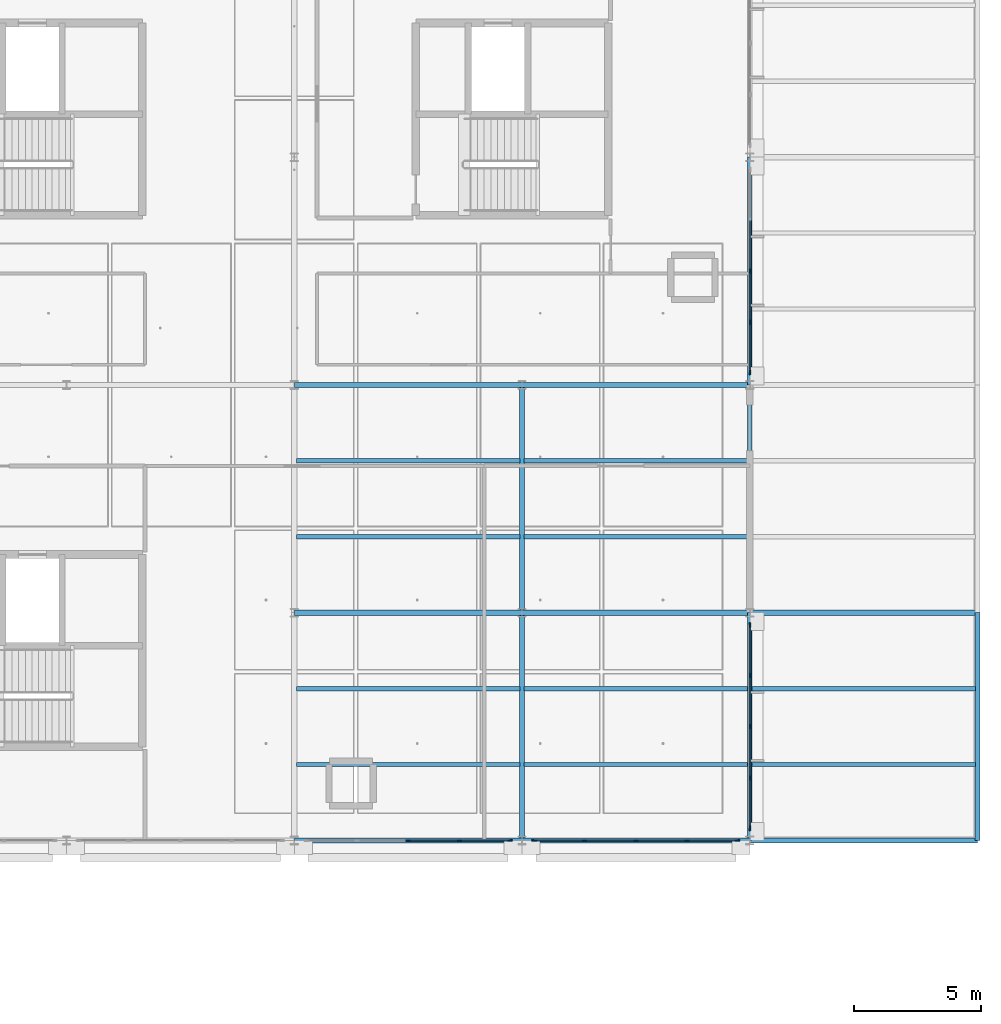
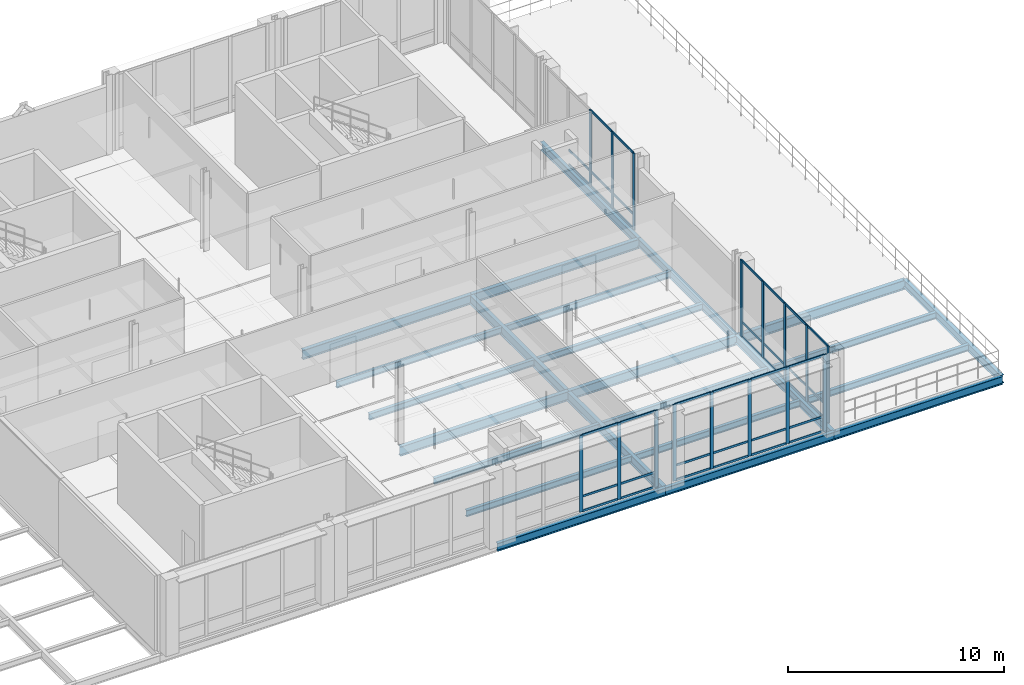
# One storey, part 31 of 66: 54 members, 24 beams, 4 elements without a shape of their own.
"""IFC4 building model written with IfcOpenShell, lengths in metres."""

import ifcopenshell
import ifcopenshell.guid

model = None  # the IFC model being written
_history = None  # IfcOwnerHistory: only IFC2X3 demands one
_inside = {}  # id of a spatial element -> (the spatial element, [elements in it])
_under = {}  # id of a project, library or spatial element -> (it, [spatial elements below it])
_declared = {}  # id of a project -> (the project, [libraries it declares])
_typed = {}  # id of a type object -> (the type object, [elements of that type])
_made_of = {}  # id of a material, layer set ... -> (it, [elements and type objects made of it])


def new_model(schema):
    """Start an empty IFC model of exactly this schema.

    Asked for "IFC4X3", IfcOpenShell would pick the latest addendum, in which some entities
    have other attributes; the version numbers below select the first issue.
    IFC2X3 requires an IfcOwnerHistory on every rooted entity: one is made here for all.
    """
    global model, _history
    if schema == "IFC4X3":
        model = ifcopenshell.file(schema_version=(4, 3, 0, 0))
    else:
        model = ifcopenshell.file(schema=schema)
    _inside.clear()
    _under.clear()
    _declared.clear()
    _typed.clear()
    _made_of.clear()
    _history = None
    if model.schema == "IFC2X3":
        org = make("IfcOrganization", Name="unknown")
        user = make(
            "IfcPersonAndOrganization",
            ThePerson=make("IfcPerson", FamilyName="unknown"),
            TheOrganization=org,
        )
        app = make(
            "IfcApplication",
            ApplicationDeveloper=org,
            Version="unknown",
            ApplicationFullName="unknown",
            ApplicationIdentifier="unknown",
        )
        _history = make(
            "IfcOwnerHistory",
            OwningUser=user,
            OwningApplication=app,
            ChangeAction="ADDED",
            CreationDate=0,
        )
    return model


def make(cls, **values):
    """One entity of the class cls with the attributes given. An attribute that is None is left unset."""
    return model.create_entity(
        cls, **{name: value for name, value in values.items() if value is not None}
    )


def rooted(cls, **values):
    """An entity with a GlobalId (a new one), such as an element, a storey or a relation."""
    return make(cls, GlobalId=ifcopenshell.guid.new(), OwnerHistory=_history, **values)


def si_unit(unit_type, name, prefix=None):
    """IfcSIUnit, for example si_unit("LENGTHUNIT", "METRE", prefix="MILLI")."""
    return make("IfcSIUnit", UnitType=unit_type, Prefix=prefix, Name=name)


def assignment(units):
    """IfcUnitAssignment: the units of a project."""
    return None if units is None else make("IfcUnitAssignment", Units=units)


def point(xyz):
    """IfcCartesianPoint."""
    return None if xyz is None else make("IfcCartesianPoint", Coordinates=xyz)


def direction(xyz):
    """IfcDirection."""
    return None if xyz is None else make("IfcDirection", DirectionRatios=xyz)


def frame(location, z_axis=None, x_axis=None):
    """IfcAxis2Placement3D, a coordinate frame: its origin and axes. An axis left out is left unset."""
    return make(
        "IfcAxis2Placement3D",
        Location=point(location),
        Axis=direction(z_axis),
        RefDirection=direction(x_axis),
    )


def frame_2d(location, x_axis=None):
    """IfcAxis2Placement2D, a coordinate frame in the plane: its origin and x axis."""
    return make(
        "IfcAxis2Placement2D", Location=point(location), RefDirection=direction(x_axis)
    )


def origin():
    """The frame at (0, 0, 0) with its axes left unset."""
    return frame((0.0, 0.0, 0.0))


def origin_2d():
    """The frame at (0, 0) in the plane with its x axis left unset."""
    return frame_2d((0.0, 0.0))


def place(relative_to, where):
    """IfcLocalPlacement: puts the frame where relative to a parent placement (None: the world)."""
    return make(
        "IfcLocalPlacement", PlacementRelTo=relative_to, RelativePlacement=where
    )


def context(
    kind, dimensions, precision=None, world=None, true_north=None, identifier=None
):
    """IfcGeometricRepresentationContext, for example the 3D "Model" context."""
    return make(
        "IfcGeometricRepresentationContext",
        ContextIdentifier=identifier,
        ContextType=kind,
        CoordinateSpaceDimension=dimensions,
        Precision=precision,
        WorldCoordinateSystem=world,
        TrueNorth=true_north,
    )


def subcontext(parent, identifier, kind, view, scale=None):
    """IfcGeometricRepresentationSubContext, for example "Body" below "Model"."""
    return make(
        "IfcGeometricRepresentationSubContext",
        ContextIdentifier=identifier,
        ContextType=kind,
        ParentContext=parent,
        TargetScale=scale,
        TargetView=view,
    )


def project(units=None, contexts=None):
    """IfcProject with its units and contexts."""
    return rooted(
        "IfcProject",
        Name="project",
        RepresentationContexts=contexts,
        UnitsInContext=assignment(units),
    )


def spatial(cls, under=None, at=None, **own):
    """A site, building, storey or space (cls), placed at a placement, below another one or the project."""
    s = rooted(cls, ObjectPlacement=at, **own)
    if under is not None:
        _under.setdefault(under.id(), (under, []))[1].append(s)
    return s


def profile(cls, at=None, kind="AREA", **sizes):
    """A parametric profile (cls). Its sizes go by their IFC names, for example OverallWidth=200.0."""
    return make(cls, ProfileType=kind, Position=at, **sizes)


def rectangle(**sizes):
    """IfcRectangleProfileDef."""
    return profile("IfcRectangleProfileDef", **sizes)


def i_section(**sizes):
    """IfcIShapeProfileDef."""
    return profile("IfcIShapeProfileDef", **sizes)


def extrude(swept, where, along, depth):
    """IfcExtrudedAreaSolid: the profile swept, set in the frame where, extruded along a direction by depth."""
    return make(
        "IfcExtrudedAreaSolid",
        SweptArea=swept,
        Position=where,
        ExtrudedDirection=direction(along),
        Depth=depth,
    )


def shape(context_of_items, identifier, shape_type, items):
    """IfcShapeRepresentation: the items that make up one representation, for example the "Body"."""
    return make(
        "IfcShapeRepresentation",
        ContextOfItems=context_of_items,
        RepresentationIdentifier=identifier,
        RepresentationType=shape_type,
        Items=items,
    )


def material(Name=None, Category=None):
    """IfcMaterial."""
    return make("IfcMaterial", Name=Name, Category=Category)


def material_profile(
    of_material, cross_section, Name=None, Category=None, Priority=None
):
    """IfcMaterialProfile: a cross section and its material."""
    return make(
        "IfcMaterialProfile",
        Name=Name,
        Material=of_material,
        Profile=cross_section,
        Priority=Priority,
        Category=Category,
    )


def profile_set(profiles, Name=None, composite=None):
    """IfcMaterialProfileSet."""
    return make(
        "IfcMaterialProfileSet",
        Name=Name,
        MaterialProfiles=profiles,
        CompositeProfile=composite,
    )


def made_of(thing, what):
    """Note that an element or type object is made of a material, layer set ...; save() writes the relation."""
    if what is not None:
        _made_of.setdefault(what.id(), (what, []))[1].append(thing)
    return thing


def type_object(cls, material=None, **own):
    """A type object (cls), such as IfcWallType, which elements share."""
    return made_of(rooted(cls, **own), material)


def element(
    cls,
    number,
    at=None,
    inside=None,
    cuts=None,
    type_object=None,
    material=None,
    context=None,
    identifier="Body",
    shape_type=None,
    held_by="IfcProductDefinitionShape",
    body=None,
    shapes=None,
    **own,
):
    """One element of the class cls, such as IfcWall. Its Tag is "e" and its number.

    at: its placement. inside: the storey or other place that contains it. cuts: it is an
    opening in that element (IfcRelVoidsElement). A single representation is given by context,
    identifier, shape_type and body (its items); several are given by shapes. held_by: the class
    of the entity that holds the representations. save() writes the other relations.
    """
    e = rooted(cls, Tag="e%d" % number, ObjectPlacement=at, **own)
    if body is not None:
        shapes = [shape(context, identifier, shape_type, body)]
    if shapes is not None:
        e.Representation = make(held_by, Representations=shapes)
    if inside is not None:
        _inside.setdefault(inside.id(), (inside, []))[1].append(e)
    if cuts is not None:
        rooted(
            "IfcRelVoidsElement", RelatingBuildingElement=cuts, RelatedOpeningElement=e
        )
    if type_object is not None:
        _typed.setdefault(type_object.id(), (type_object, []))[1].append(e)
    return made_of(e, material)


def aggregate(whole, parts):
    """IfcRelAggregates: a whole, such as a stair, and the parts it consists of."""
    return rooted("IfcRelAggregates", RelatingObject=whole, RelatedObjects=parts)


def save(model, path):
    """Write the relations noted so far, then the file.

    IfcRelAggregates (storeys below a building ...), IfcRelContainedInSpatialStructure (elements
    in a storey), IfcRelDefinesByType, IfcRelAssociatesMaterial and IfcRelDeclares: one each for
    every whole, place, type object, material and project.
    """
    for whole, parts in _under.values():
        aggregate(whole, parts)
    for where, things in _inside.values():
        rooted(
            "IfcRelContainedInSpatialStructure",
            RelatedElements=things,
            RelatingStructure=where,
        )
    for kind, things in _typed.values():
        rooted("IfcRelDefinesByType", RelatedObjects=things, RelatingType=kind)
    for what, things in _made_of.values():
        rooted("IfcRelAssociatesMaterial", RelatedObjects=things, RelatingMaterial=what)
    for by, libraries in _declared.values():
        rooted("IfcRelDeclares", RelatingContext=by, RelatedDefinitions=libraries)
    model.write(path)


model = new_model("IFC4")

# Units and contexts
model_context = context("Model", 3, precision=1e-05, world=origin(), true_north=direction((0.0, 1.0)))
body_context = subcontext(model_context, "Body", "Model", "MODEL_VIEW")
ifc_project = project(units=[si_unit("LENGTHUNIT", "METRE"), si_unit("AREAUNIT", "SQUARE_METRE"), si_unit("VOLUMEUNIT", "CUBIC_METRE"), si_unit("PLANEANGLEUNIT", "RADIAN"), si_unit("MASSUNIT", "GRAM", prefix="KILO"), si_unit("THERMODYNAMICTEMPERATUREUNIT", "KELVIN"), si_unit("POWERUNIT", "WATT")], contexts=[model_context])

# Site, building, storey
site_placement = place(None, origin())
site = spatial("IfcSite", under=ifc_project, at=site_placement, CompositionType="ELEMENT")
building_placement = place(site_placement, origin())
building = spatial("IfcBuilding", under=site, at=building_placement, Name="Tallowbark Science Centre", CompositionType="ELEMENT")
storey_placement = place(building_placement, frame((0.0, 0.0, 18.89990234375)))
storey = spatial("IfcBuildingStorey", under=building, at=storey_placement, Name="L04", CompositionType="ELEMENT", Elevation=18.89990234375)

# Beams
ifc_material_1 = material(Name="Structural Steel Grade 300PLUS (300 MPa)", Category="steel")
ifc_material_profile_1 = material_profile(ifc_material_1, i_section(OverallWidth=0.208984375, OverallDepth=0.532958984375, WebThickness=0.01025390625, FlangeThickness=0.015625, FilletRadius=0.013916015625, at=origin_2d()), Name="530UB92.4")
ifc_profile_set_1 = profile_set([ifc_material_profile_1], Name="Structural Steel Grade 300PLUS (300 MPa)")
beam_type_1 = type_object("IfcBeamType", Name="BM-UB530A", PredefinedType="BEAM", material=ifc_profile_set_1)
for number, where, z_axis, x_axis, name in (
    (1, (130.5, 81.0, -0.4462890625), (1.0, 0.0, 0.0), (0.0, 1.0, 0.0), "Primary Girder GRDX-L04-1305-1395-810"),
    (2, (139.5, 81.0, -0.4462890625), (1.0, 0.0, 0.0), (0.0, 1.0, 0.0), "Primary Girder GRDX-L04-1395-1485-810"),
    (3, (148.5, 81.0, -0.4462890625), (1.0, 0.0, 0.0), (0.0, 1.0, 0.0), "Primary Girder GRDX-L04-1485-1575-810"),
    (4, (130.5, 90.0, -0.4462890625), (1.0, 0.0, 0.0), (0.0, 1.0, 0.0), "Primary Girder GRDX-L04-1305-1395-900"),
    (5, (139.5, 90.0, -0.4462890625), (1.0, 0.0, 0.0), (0.0, 1.0, 0.0), "Primary Girder GRDX-L04-1395-1485-900"),
):
    element("IfcBeam", number, at=place(storey_placement, frame(where, z_axis=z_axis, x_axis=x_axis)), inside=storey, type_object=beam_type_1, Name=name, PredefinedType="BEAM", context=body_context, shape_type="SweptSolid", body=[
        extrude(i_section(OverallWidth=0.208984375, OverallDepth=0.532958984375, WebThickness=0.01025390625, FlangeThickness=0.015625, FilletRadius=0.013916015625, at=origin_2d()), origin(), (0.0, 0.0, 1.0), 9.0),
    ])
ifc_material_profile_2 = material_profile(ifc_material_1, i_section(OverallWidth=0.208740234375, OverallDepth=0.5283203125, WebThickness=0.009521484375, FlangeThickness=0.01318359375, FilletRadius=0.013916015625, at=origin_2d()), Name="530UB82.0")
ifc_profile_set_2 = profile_set([ifc_material_profile_2], Name="Structural Steel Grade 300PLUS (300 MPa)")
beam_type_2 = type_object("IfcBeamType", Name="BM-UB530B", PredefinedType="BEAM", material=ifc_profile_set_2)
for number, where, z_axis, x_axis, name in (
    (6, (139.5, 72.0, -0.444091796875), (0.0, 1.0, 0.0), (-1.0, 0.0, 0.0), "Primary Girder GRDY-L04-1395-720-810"),
    (7, (139.5, 81.0, -0.444091796875), (0.0, 1.0, 0.0), (-1.0, 0.0, 0.0), "Primary Girder GRDY-L04-1395-810-900"),
):
    element("IfcBeam", number, at=place(storey_placement, frame(where, z_axis=z_axis, x_axis=x_axis)), inside=storey, type_object=beam_type_2, Name=name, PredefinedType="BEAM", context=body_context, shape_type="SweptSolid", body=[
        extrude(i_section(OverallWidth=0.208740234375, OverallDepth=0.5283203125, WebThickness=0.009521484375, FlangeThickness=0.01318359375, FilletRadius=0.013916015625, at=origin_2d()), origin(), (0.0, 0.0, 1.0), 9.0),
    ])

# Curtain wall, members
ifc_material_2 = material(Name="Unitised Thermally Broken Aluminium and Low-E Double Glazing", Category="aluminium")
curtain_wall_type = type_object("IfcCurtainWallType", Name="CW-SYS-FACADE", PredefinedType="NOTDEFINED", material=ifc_material_2)
curtain_wall_1_placement = place(storey_placement, origin())
curtain_wall_1 = element("IfcCurtainWall", 8, at=curtain_wall_1_placement, inside=storey, type_object=curtain_wall_type, Name="Unitised Curtain Wall OBS4-S-130 CW-L04-193", PredefinedType="NOTDEFINED")
ifc_material_3 = material(Name="Anodised Architectural Aluminium Alloy 6063-T6", Category="aluminium")
ifc_material_profile_3 = material_profile(ifc_material_3, rectangle(XDim=0.06494140625, YDim=0.179931640625, at=origin_2d()), Name="ALU65x180")
ifc_profile_set_3 = profile_set([ifc_material_profile_3], Name="Anodised Architectural Aluminium Alloy 6063-T6")
member_type_1 = type_object("IfcMemberType", Name="CWM-MUL-220", PredefinedType="MULLION", material=ifc_profile_set_3)
member_1_placement = place(storey_placement, frame((135.0, 72.0, 0.0), z_axis=(0.0, 0.0, 1.0), x_axis=(0.0, 1.0, 0.0)))
member_1 = element("IfcMember", 9, at=member_1_placement, type_object=member_type_1, Name="CW-01 mullion 3", PredefinedType="MULLION", context=body_context, shape_type="SweptSolid", body=[
    extrude(rectangle(XDim=0.06494140625, YDim=0.179931640625, at=origin_2d()), origin(), (0.0, 0.0, 1.0), 4.320068359375),
])
member_2_placement = place(storey_placement, frame((137.02490234375, 72.0, 0.0), z_axis=(0.0, 0.0, 1.0), x_axis=(0.0, 1.0, 0.0)))
member_2 = element("IfcMember", 10, at=member_2_placement, type_object=member_type_1, Name="CW-01 mullion 4", PredefinedType="MULLION", context=body_context, shape_type="SweptSolid", body=[
    extrude(rectangle(XDim=0.06494140625, YDim=0.179931640625, at=origin_2d()), origin(), (0.0, 0.0, 1.0), 4.320068359375),
])
member_3_placement = place(storey_placement, frame((139.017578125, 72.0, 0.0), z_axis=(0.0, 0.0, 1.0), x_axis=(0.0, 1.0, 0.0)))
member_3 = element("IfcMember", 11, at=member_3_placement, type_object=member_type_1, Name="CW-01 mullion 5", PredefinedType="MULLION", context=body_context, shape_type="SweptSolid", body=[
    extrude(rectangle(XDim=0.06494140625, YDim=0.179931640625, at=origin_2d()), origin(), (0.0, 0.0, 1.0), 4.320068359375),
])

curtain_wall_2_placement = place(storey_placement, origin())
curtain_wall_2 = element("IfcCurtainWall", 12, at=curtain_wall_2_placement, inside=storey, type_object=curtain_wall_type, Name="Unitised Curtain Wall OBS4-S-139 CW-L04-195", PredefinedType="NOTDEFINED")
member_4_placement = place(storey_placement, frame((139.982421875, 72.0, 0.0), z_axis=(0.0, 0.0, 1.0), x_axis=(0.0, 1.0, 0.0)))
member_4 = element("IfcMember", 13, at=member_4_placement, type_object=member_type_1, Name="CW-01 mullion 1", PredefinedType="MULLION", context=body_context, shape_type="SweptSolid", body=[
    extrude(rectangle(XDim=0.06494140625, YDim=0.179931640625, at=origin_2d()), origin(), (0.0, 0.0, 1.0), 4.320068359375),
])
member_5_placement = place(storey_placement, frame((141.97509765625, 72.0, 0.0), z_axis=(0.0, 0.0, 1.0), x_axis=(0.0, 1.0, 0.0)))
member_5 = element("IfcMember", 14, at=member_5_placement, type_object=member_type_1, Name="CW-01 mullion 2", PredefinedType="MULLION", context=body_context, shape_type="SweptSolid", body=[
    extrude(rectangle(XDim=0.06494140625, YDim=0.179931640625, at=origin_2d()), origin(), (0.0, 0.0, 1.0), 4.320068359375),
])
member_6_placement = place(storey_placement, frame((144.0, 72.0, 0.0), z_axis=(0.0, 0.0, 1.0), x_axis=(0.0, 1.0, 0.0)))
member_6 = element("IfcMember", 15, at=member_6_placement, type_object=member_type_1, Name="CW-01 mullion 3", PredefinedType="MULLION", context=body_context, shape_type="SweptSolid", body=[
    extrude(rectangle(XDim=0.06494140625, YDim=0.179931640625, at=origin_2d()), origin(), (0.0, 0.0, 1.0), 4.320068359375),
])
member_7_placement = place(storey_placement, frame((146.02490234375, 72.0, 0.0), z_axis=(0.0, 0.0, 1.0), x_axis=(0.0, 1.0, 0.0)))
member_7 = element("IfcMember", 16, at=member_7_placement, type_object=member_type_1, Name="CW-01 mullion 4", PredefinedType="MULLION", context=body_context, shape_type="SweptSolid", body=[
    extrude(rectangle(XDim=0.06494140625, YDim=0.179931640625, at=origin_2d()), origin(), (0.0, 0.0, 1.0), 4.320068359375),
])
member_8_placement = place(storey_placement, frame((148.017578125, 72.0, 0.0), z_axis=(0.0, 0.0, 1.0), x_axis=(0.0, 1.0, 0.0)))
member_8 = element("IfcMember", 17, at=member_8_placement, type_object=member_type_1, Name="CW-01 mullion 5", PredefinedType="MULLION", context=body_context, shape_type="SweptSolid", body=[
    extrude(rectangle(XDim=0.06494140625, YDim=0.179931640625, at=origin_2d()), origin(), (0.0, 0.0, 1.0), 4.320068359375),
])

curtain_wall_3_placement = place(storey_placement, origin())
curtain_wall_3 = element("IfcCurtainWall", 18, at=curtain_wall_3_placement, inside=storey, type_object=curtain_wall_type, Name="Unitised Curtain Wall OBS4-E-72 CW-L04-197", PredefinedType="NOTDEFINED")
member_9_placement = place(storey_placement, frame((148.5, 72.482421875, 0.0), z_axis=(0.0, 0.0, 1.0), x_axis=(-1.0, 0.0, 0.0)))
member_9 = element("IfcMember", 19, at=member_9_placement, type_object=member_type_1, Name="CW-01 mullion 1", PredefinedType="MULLION", context=body_context, shape_type="SweptSolid", body=[
    extrude(rectangle(XDim=0.06494140625, YDim=0.179931640625, at=origin_2d()), origin(), (0.0, 0.0, 1.0), 4.320068359375),
])
member_10_placement = place(storey_placement, frame((148.5, 74.47509765625, 0.0), z_axis=(0.0, 0.0, 1.0), x_axis=(-1.0, 0.0, 0.0)))
member_10 = element("IfcMember", 20, at=member_10_placement, type_object=member_type_1, Name="CW-01 mullion 2", PredefinedType="MULLION", context=body_context, shape_type="SweptSolid", body=[
    extrude(rectangle(XDim=0.06494140625, YDim=0.179931640625, at=origin_2d()), origin(), (0.0, 0.0, 1.0), 4.320068359375),
])
member_11_placement = place(storey_placement, frame((148.5, 76.5, 0.0), z_axis=(0.0, 0.0, 1.0), x_axis=(-1.0, 0.0, 0.0)))
member_11 = element("IfcMember", 21, at=member_11_placement, type_object=member_type_1, Name="CW-01 mullion 3", PredefinedType="MULLION", context=body_context, shape_type="SweptSolid", body=[
    extrude(rectangle(XDim=0.06494140625, YDim=0.179931640625, at=origin_2d()), origin(), (0.0, 0.0, 1.0), 4.320068359375),
])
member_12_placement = place(storey_placement, frame((148.5, 78.52490234375, 0.0), z_axis=(0.0, 0.0, 1.0), x_axis=(-1.0, 0.0, 0.0)))
member_12 = element("IfcMember", 22, at=member_12_placement, type_object=member_type_1, Name="CW-01 mullion 4", PredefinedType="MULLION", context=body_context, shape_type="SweptSolid", body=[
    extrude(rectangle(XDim=0.06494140625, YDim=0.179931640625, at=origin_2d()), origin(), (0.0, 0.0, 1.0), 4.320068359375),
])
member_13_placement = place(storey_placement, frame((148.5, 80.517578125, 0.0), z_axis=(0.0, 0.0, 1.0), x_axis=(-1.0, 0.0, 0.0)))
member_13 = element("IfcMember", 23, at=member_13_placement, type_object=member_type_1, Name="CW-01 mullion 5", PredefinedType="MULLION", context=body_context, shape_type="SweptSolid", body=[
    extrude(rectangle(XDim=0.06494140625, YDim=0.179931640625, at=origin_2d()), origin(), (0.0, 0.0, 1.0), 4.320068359375),
])

curtain_wall_4_placement = place(storey_placement, origin())
curtain_wall_4 = element("IfcCurtainWall", 24, at=curtain_wall_4_placement, inside=storey, type_object=curtain_wall_type, Name="Unitised Curtain Wall OBS4-E-90 CW-L04-198", PredefinedType="NOTDEFINED")
member_14_placement = place(storey_placement, frame((148.5, 90.482421875, 0.0), z_axis=(0.0, 0.0, 1.0), x_axis=(-1.0, 0.0, 0.0)))
member_14 = element("IfcMember", 25, at=member_14_placement, type_object=member_type_1, Name="CW-01 mullion 1", PredefinedType="MULLION", context=body_context, shape_type="SweptSolid", body=[
    extrude(rectangle(XDim=0.06494140625, YDim=0.179931640625, at=origin_2d()), origin(), (0.0, 0.0, 1.0), 4.320068359375),
])
member_15_placement = place(storey_placement, frame((148.5, 92.47509765625, 0.0), z_axis=(0.0, 0.0, 1.0), x_axis=(-1.0, 0.0, 0.0)))
member_15 = element("IfcMember", 26, at=member_15_placement, type_object=member_type_1, Name="CW-01 mullion 2", PredefinedType="MULLION", context=body_context, shape_type="SweptSolid", body=[
    extrude(rectangle(XDim=0.06494140625, YDim=0.179931640625, at=origin_2d()), origin(), (0.0, 0.0, 1.0), 4.320068359375),
])
member_16_placement = place(storey_placement, frame((148.5, 94.5, 0.0), z_axis=(0.0, 0.0, 1.0), x_axis=(-1.0, 0.0, 0.0)))
member_16 = element("IfcMember", 27, at=member_16_placement, type_object=member_type_1, Name="CW-01 mullion 3", PredefinedType="MULLION", context=body_context, shape_type="SweptSolid", body=[
    extrude(rectangle(XDim=0.06494140625, YDim=0.179931640625, at=origin_2d()), origin(), (0.0, 0.0, 1.0), 4.320068359375),
])

# Member
ifc_material_profile_4 = material_profile(ifc_material_3, rectangle(XDim=0.054931640625, YDim=0.1201171875, at=origin_2d()), Name="ALU55x120")
ifc_profile_set_4 = profile_set([ifc_material_profile_4], Name="Anodised Architectural Aluminium Alloy 6063-T6")
member_type_2 = type_object("IfcMemberType", Name="CWM-TRN-150", PredefinedType="USERDEFINED", material=ifc_profile_set_4)
member_17_placement = place(storey_placement, frame((135.032470703125, 72.0, 0.027587890625), z_axis=(1.0, 0.0, 0.0), x_axis=(0.0, 1.0, 0.0)))
member_17 = element("IfcMember", 28, at=member_17_placement, type_object=member_type_2, Name="CW-01 transom 3.1", ObjectType="TRANSOM", PredefinedType="USERDEFINED", context=body_context, shape_type="SweptSolid", body=[
    extrude(rectangle(XDim=0.054931640625, YDim=0.1201171875, at=origin_2d()), origin(), (0.0, 0.0, 1.0), 1.9599609375),
])

member_18_placement = place(storey_placement, frame((135.032470703125, 72.0, 0.85009765625), z_axis=(1.0, 0.0, 0.0), x_axis=(0.0, 1.0, 0.0)))
member_18 = element("IfcMember", 29, at=member_18_placement, type_object=member_type_2, Name="CW-01 transom 3.2", ObjectType="TRANSOM", PredefinedType="USERDEFINED", context=body_context, shape_type="SweptSolid", body=[
    extrude(rectangle(XDim=0.054931640625, YDim=0.1201171875, at=origin_2d()), origin(), (0.0, 0.0, 1.0), 1.9599609375),
])

member_19_placement = place(storey_placement, frame((135.032470703125, 72.0, 4.29248046875), z_axis=(1.0, 0.0, 0.0), x_axis=(0.0, 1.0, 0.0)))
member_19 = element("IfcMember", 30, at=member_19_placement, type_object=member_type_2, Name="CW-01 transom 3.3", ObjectType="TRANSOM", PredefinedType="USERDEFINED", context=body_context, shape_type="SweptSolid", body=[
    extrude(rectangle(XDim=0.054931640625, YDim=0.1201171875, at=origin_2d()), origin(), (0.0, 0.0, 1.0), 1.9599609375),
])

member_20_placement = place(storey_placement, frame((137.0576171875, 72.0, 0.027587890625), z_axis=(1.0, 0.0, 0.0), x_axis=(0.0, 1.0, 0.0)))
member_20 = element("IfcMember", 31, at=member_20_placement, type_object=member_type_2, Name="CW-01 transom 4.1", ObjectType="TRANSOM", PredefinedType="USERDEFINED", context=body_context, shape_type="SweptSolid", body=[
    extrude(rectangle(XDim=0.054931640625, YDim=0.1201171875, at=origin_2d()), origin(), (0.0, 0.0, 1.0), 1.927490234375),
])

member_21_placement = place(storey_placement, frame((137.0576171875, 72.0, 0.85009765625), z_axis=(1.0, 0.0, 0.0), x_axis=(0.0, 1.0, 0.0)))
member_21 = element("IfcMember", 32, at=member_21_placement, type_object=member_type_2, Name="CW-01 transom 4.2", ObjectType="TRANSOM", PredefinedType="USERDEFINED", context=body_context, shape_type="SweptSolid", body=[
    extrude(rectangle(XDim=0.054931640625, YDim=0.1201171875, at=origin_2d()), origin(), (0.0, 0.0, 1.0), 1.927490234375),
])

member_22_placement = place(storey_placement, frame((137.0576171875, 72.0, 4.29248046875), z_axis=(1.0, 0.0, 0.0), x_axis=(0.0, 1.0, 0.0)))
member_22 = element("IfcMember", 33, at=member_22_placement, type_object=member_type_2, Name="CW-01 transom 4.3", ObjectType="TRANSOM", PredefinedType="USERDEFINED", context=body_context, shape_type="SweptSolid", body=[
    extrude(rectangle(XDim=0.054931640625, YDim=0.1201171875, at=origin_2d()), origin(), (0.0, 0.0, 1.0), 1.927490234375),
])

aggregate(curtain_wall_1, [member_1, member_2, member_3, member_17, member_18, member_19, member_20, member_21, member_22])

member_23_placement = place(storey_placement, frame((140.014892578125, 72.0, 0.027587890625), z_axis=(1.0, 0.0, 0.0), x_axis=(0.0, 1.0, 0.0)))
member_23 = element("IfcMember", 34, at=member_23_placement, type_object=member_type_2, Name="CW-01 transom 1.1", ObjectType="TRANSOM", PredefinedType="USERDEFINED", context=body_context, shape_type="SweptSolid", body=[
    extrude(rectangle(XDim=0.054931640625, YDim=0.1201171875, at=origin_2d()), origin(), (0.0, 0.0, 1.0), 1.927490234375),
])

member_24_placement = place(storey_placement, frame((140.014892578125, 72.0, 0.85009765625), z_axis=(1.0, 0.0, 0.0), x_axis=(0.0, 1.0, 0.0)))
member_24 = element("IfcMember", 35, at=member_24_placement, type_object=member_type_2, Name="CW-01 transom 1.2", ObjectType="TRANSOM", PredefinedType="USERDEFINED", context=body_context, shape_type="SweptSolid", body=[
    extrude(rectangle(XDim=0.054931640625, YDim=0.1201171875, at=origin_2d()), origin(), (0.0, 0.0, 1.0), 1.927490234375),
])

member_25_placement = place(storey_placement, frame((140.014892578125, 72.0, 4.29248046875), z_axis=(1.0, 0.0, 0.0), x_axis=(0.0, 1.0, 0.0)))
member_25 = element("IfcMember", 36, at=member_25_placement, type_object=member_type_2, Name="CW-01 transom 1.3", ObjectType="TRANSOM", PredefinedType="USERDEFINED", context=body_context, shape_type="SweptSolid", body=[
    extrude(rectangle(XDim=0.054931640625, YDim=0.1201171875, at=origin_2d()), origin(), (0.0, 0.0, 1.0), 1.927490234375),
])

member_26_placement = place(storey_placement, frame((142.007568359375, 72.0, 0.027587890625), z_axis=(1.0, 0.0, 0.0), x_axis=(0.0, 1.0, 0.0)))
member_26 = element("IfcMember", 37, at=member_26_placement, type_object=member_type_2, Name="CW-01 transom 2.1", ObjectType="TRANSOM", PredefinedType="USERDEFINED", context=body_context, shape_type="SweptSolid", body=[
    extrude(rectangle(XDim=0.054931640625, YDim=0.1201171875, at=origin_2d()), origin(), (0.0, 0.0, 1.0), 1.9599609375),
])

member_27_placement = place(storey_placement, frame((142.007568359375, 72.0, 0.85009765625), z_axis=(1.0, 0.0, 0.0), x_axis=(0.0, 1.0, 0.0)))
member_27 = element("IfcMember", 38, at=member_27_placement, type_object=member_type_2, Name="CW-01 transom 2.2", ObjectType="TRANSOM", PredefinedType="USERDEFINED", context=body_context, shape_type="SweptSolid", body=[
    extrude(rectangle(XDim=0.054931640625, YDim=0.1201171875, at=origin_2d()), origin(), (0.0, 0.0, 1.0), 1.9599609375),
])

member_28_placement = place(storey_placement, frame((142.007568359375, 72.0, 4.29248046875), z_axis=(1.0, 0.0, 0.0), x_axis=(0.0, 1.0, 0.0)))
member_28 = element("IfcMember", 39, at=member_28_placement, type_object=member_type_2, Name="CW-01 transom 2.3", ObjectType="TRANSOM", PredefinedType="USERDEFINED", context=body_context, shape_type="SweptSolid", body=[
    extrude(rectangle(XDim=0.054931640625, YDim=0.1201171875, at=origin_2d()), origin(), (0.0, 0.0, 1.0), 1.9599609375),
])

member_29_placement = place(storey_placement, frame((144.032470703125, 72.0, 0.027587890625), z_axis=(1.0, 0.0, 0.0), x_axis=(0.0, 1.0, 0.0)))
member_29 = element("IfcMember", 40, at=member_29_placement, type_object=member_type_2, Name="CW-01 transom 3.1", ObjectType="TRANSOM", PredefinedType="USERDEFINED", context=body_context, shape_type="SweptSolid", body=[
    extrude(rectangle(XDim=0.054931640625, YDim=0.1201171875, at=origin_2d()), origin(), (0.0, 0.0, 1.0), 1.9599609375),
])

member_30_placement = place(storey_placement, frame((144.032470703125, 72.0, 0.85009765625), z_axis=(1.0, 0.0, 0.0), x_axis=(0.0, 1.0, 0.0)))
member_30 = element("IfcMember", 41, at=member_30_placement, type_object=member_type_2, Name="CW-01 transom 3.2", ObjectType="TRANSOM", PredefinedType="USERDEFINED", context=body_context, shape_type="SweptSolid", body=[
    extrude(rectangle(XDim=0.054931640625, YDim=0.1201171875, at=origin_2d()), origin(), (0.0, 0.0, 1.0), 1.9599609375),
])

member_31_placement = place(storey_placement, frame((144.032470703125, 72.0, 4.29248046875), z_axis=(1.0, 0.0, 0.0), x_axis=(0.0, 1.0, 0.0)))
member_31 = element("IfcMember", 42, at=member_31_placement, type_object=member_type_2, Name="CW-01 transom 3.3", ObjectType="TRANSOM", PredefinedType="USERDEFINED", context=body_context, shape_type="SweptSolid", body=[
    extrude(rectangle(XDim=0.054931640625, YDim=0.1201171875, at=origin_2d()), origin(), (0.0, 0.0, 1.0), 1.9599609375),
])

member_32_placement = place(storey_placement, frame((146.0576171875, 72.0, 0.027587890625), z_axis=(1.0, 0.0, 0.0), x_axis=(0.0, 1.0, 0.0)))
member_32 = element("IfcMember", 43, at=member_32_placement, type_object=member_type_2, Name="CW-01 transom 4.1", ObjectType="TRANSOM", PredefinedType="USERDEFINED", context=body_context, shape_type="SweptSolid", body=[
    extrude(rectangle(XDim=0.054931640625, YDim=0.1201171875, at=origin_2d()), origin(), (0.0, 0.0, 1.0), 1.927490234375),
])

member_33_placement = place(storey_placement, frame((146.0576171875, 72.0, 0.85009765625), z_axis=(1.0, 0.0, 0.0), x_axis=(0.0, 1.0, 0.0)))
member_33 = element("IfcMember", 44, at=member_33_placement, type_object=member_type_2, Name="CW-01 transom 4.2", ObjectType="TRANSOM", PredefinedType="USERDEFINED", context=body_context, shape_type="SweptSolid", body=[
    extrude(rectangle(XDim=0.054931640625, YDim=0.1201171875, at=origin_2d()), origin(), (0.0, 0.0, 1.0), 1.927490234375),
])

member_34_placement = place(storey_placement, frame((146.0576171875, 72.0, 4.29248046875), z_axis=(1.0, 0.0, 0.0), x_axis=(0.0, 1.0, 0.0)))
member_34 = element("IfcMember", 45, at=member_34_placement, type_object=member_type_2, Name="CW-01 transom 4.3", ObjectType="TRANSOM", PredefinedType="USERDEFINED", context=body_context, shape_type="SweptSolid", body=[
    extrude(rectangle(XDim=0.054931640625, YDim=0.1201171875, at=origin_2d()), origin(), (0.0, 0.0, 1.0), 1.927490234375),
])

aggregate(curtain_wall_2, [member_4, member_5, member_6, member_7, member_8, member_23, member_24, member_25, member_26, member_27, member_28, member_29, member_30, member_31, member_32, member_33, member_34])

member_35_placement = place(storey_placement, frame((148.5, 72.514892578125, 0.027587890625), z_axis=(0.0, 1.0, 0.0), x_axis=(-1.0, 0.0, 0.0)))
member_35 = element("IfcMember", 46, at=member_35_placement, type_object=member_type_2, Name="CW-01 transom 1.1", ObjectType="TRANSOM", PredefinedType="USERDEFINED", context=body_context, shape_type="SweptSolid", body=[
    extrude(rectangle(XDim=0.054931640625, YDim=0.1201171875, at=origin_2d()), origin(), (0.0, 0.0, 1.0), 1.927490234375),
])

member_36_placement = place(storey_placement, frame((148.5, 72.514892578125, 0.85009765625), z_axis=(0.0, 1.0, 0.0), x_axis=(-1.0, 0.0, 0.0)))
member_36 = element("IfcMember", 47, at=member_36_placement, type_object=member_type_2, Name="CW-01 transom 1.2", ObjectType="TRANSOM", PredefinedType="USERDEFINED", context=body_context, shape_type="SweptSolid", body=[
    extrude(rectangle(XDim=0.054931640625, YDim=0.1201171875, at=origin_2d()), origin(), (0.0, 0.0, 1.0), 1.927490234375),
])

member_37_placement = place(storey_placement, frame((148.5, 72.514892578125, 4.29248046875), z_axis=(0.0, 1.0, 0.0), x_axis=(-1.0, 0.0, 0.0)))
member_37 = element("IfcMember", 48, at=member_37_placement, type_object=member_type_2, Name="CW-01 transom 1.3", ObjectType="TRANSOM", PredefinedType="USERDEFINED", context=body_context, shape_type="SweptSolid", body=[
    extrude(rectangle(XDim=0.054931640625, YDim=0.1201171875, at=origin_2d()), origin(), (0.0, 0.0, 1.0), 1.927490234375),
])

member_38_placement = place(storey_placement, frame((148.5, 74.507568359375, 0.027587890625), z_axis=(0.0, 1.0, 0.0), x_axis=(-1.0, 0.0, 0.0)))
member_38 = element("IfcMember", 49, at=member_38_placement, type_object=member_type_2, Name="CW-01 transom 2.1", ObjectType="TRANSOM", PredefinedType="USERDEFINED", context=body_context, shape_type="SweptSolid", body=[
    extrude(rectangle(XDim=0.054931640625, YDim=0.1201171875, at=origin_2d()), origin(), (0.0, 0.0, 1.0), 1.9599609375),
])

member_39_placement = place(storey_placement, frame((148.5, 74.507568359375, 0.85009765625), z_axis=(0.0, 1.0, 0.0), x_axis=(-1.0, 0.0, 0.0)))
member_39 = element("IfcMember", 50, at=member_39_placement, type_object=member_type_2, Name="CW-01 transom 2.2", ObjectType="TRANSOM", PredefinedType="USERDEFINED", context=body_context, shape_type="SweptSolid", body=[
    extrude(rectangle(XDim=0.054931640625, YDim=0.1201171875, at=origin_2d()), origin(), (0.0, 0.0, 1.0), 1.9599609375),
])

member_40_placement = place(storey_placement, frame((148.5, 74.507568359375, 4.29248046875), z_axis=(0.0, 1.0, 0.0), x_axis=(-1.0, 0.0, 0.0)))
member_40 = element("IfcMember", 51, at=member_40_placement, type_object=member_type_2, Name="CW-01 transom 2.3", ObjectType="TRANSOM", PredefinedType="USERDEFINED", context=body_context, shape_type="SweptSolid", body=[
    extrude(rectangle(XDim=0.054931640625, YDim=0.1201171875, at=origin_2d()), origin(), (0.0, 0.0, 1.0), 1.9599609375),
])

member_41_placement = place(storey_placement, frame((148.5, 76.532470703125, 0.027587890625), z_axis=(0.0, 1.0, 0.0), x_axis=(-1.0, 0.0, 0.0)))
member_41 = element("IfcMember", 52, at=member_41_placement, type_object=member_type_2, Name="CW-01 transom 3.1", ObjectType="TRANSOM", PredefinedType="USERDEFINED", context=body_context, shape_type="SweptSolid", body=[
    extrude(rectangle(XDim=0.054931640625, YDim=0.1201171875, at=origin_2d()), origin(), (0.0, 0.0, 1.0), 1.9599609375),
])

member_42_placement = place(storey_placement, frame((148.5, 76.532470703125, 0.85009765625), z_axis=(0.0, 1.0, 0.0), x_axis=(-1.0, 0.0, 0.0)))
member_42 = element("IfcMember", 53, at=member_42_placement, type_object=member_type_2, Name="CW-01 transom 3.2", ObjectType="TRANSOM", PredefinedType="USERDEFINED", context=body_context, shape_type="SweptSolid", body=[
    extrude(rectangle(XDim=0.054931640625, YDim=0.1201171875, at=origin_2d()), origin(), (0.0, 0.0, 1.0), 1.9599609375),
])

member_43_placement = place(storey_placement, frame((148.5, 76.532470703125, 4.29248046875), z_axis=(0.0, 1.0, 0.0), x_axis=(-1.0, 0.0, 0.0)))
member_43 = element("IfcMember", 54, at=member_43_placement, type_object=member_type_2, Name="CW-01 transom 3.3", ObjectType="TRANSOM", PredefinedType="USERDEFINED", context=body_context, shape_type="SweptSolid", body=[
    extrude(rectangle(XDim=0.054931640625, YDim=0.1201171875, at=origin_2d()), origin(), (0.0, 0.0, 1.0), 1.9599609375),
])

member_44_placement = place(storey_placement, frame((148.5, 78.5576171875, 0.027587890625), z_axis=(0.0, 1.0, 0.0), x_axis=(-1.0, 0.0, 0.0)))
member_44 = element("IfcMember", 55, at=member_44_placement, type_object=member_type_2, Name="CW-01 transom 4.1", ObjectType="TRANSOM", PredefinedType="USERDEFINED", context=body_context, shape_type="SweptSolid", body=[
    extrude(rectangle(XDim=0.054931640625, YDim=0.1201171875, at=origin_2d()), origin(), (0.0, 0.0, 1.0), 1.927490234375),
])

member_45_placement = place(storey_placement, frame((148.5, 78.5576171875, 0.85009765625), z_axis=(0.0, 1.0, 0.0), x_axis=(-1.0, 0.0, 0.0)))
member_45 = element("IfcMember", 56, at=member_45_placement, type_object=member_type_2, Name="CW-01 transom 4.2", ObjectType="TRANSOM", PredefinedType="USERDEFINED", context=body_context, shape_type="SweptSolid", body=[
    extrude(rectangle(XDim=0.054931640625, YDim=0.1201171875, at=origin_2d()), origin(), (0.0, 0.0, 1.0), 1.927490234375),
])

member_46_placement = place(storey_placement, frame((148.5, 78.5576171875, 4.29248046875), z_axis=(0.0, 1.0, 0.0), x_axis=(-1.0, 0.0, 0.0)))
member_46 = element("IfcMember", 57, at=member_46_placement, type_object=member_type_2, Name="CW-01 transom 4.3", ObjectType="TRANSOM", PredefinedType="USERDEFINED", context=body_context, shape_type="SweptSolid", body=[
    extrude(rectangle(XDim=0.054931640625, YDim=0.1201171875, at=origin_2d()), origin(), (0.0, 0.0, 1.0), 1.927490234375),
])

aggregate(curtain_wall_3, [member_9, member_10, member_11, member_12, member_13, member_35, member_36, member_37, member_38, member_39, member_40, member_41, member_42, member_43, member_44, member_45, member_46])

member_47_placement = place(storey_placement, frame((148.5, 90.514892578125, 0.027587890625), z_axis=(0.0, 1.0, 0.0), x_axis=(-1.0, 0.0, 0.0)))
member_47 = element("IfcMember", 58, at=member_47_placement, type_object=member_type_2, Name="CW-01 transom 1.1", ObjectType="TRANSOM", PredefinedType="USERDEFINED", context=body_context, shape_type="SweptSolid", body=[
    extrude(rectangle(XDim=0.054931640625, YDim=0.1201171875, at=origin_2d()), origin(), (0.0, 0.0, 1.0), 1.927490234375),
])

member_48_placement = place(storey_placement, frame((148.5, 90.514892578125, 0.85009765625), z_axis=(0.0, 1.0, 0.0), x_axis=(-1.0, 0.0, 0.0)))
member_48 = element("IfcMember", 59, at=member_48_placement, type_object=member_type_2, Name="CW-01 transom 1.2", ObjectType="TRANSOM", PredefinedType="USERDEFINED", context=body_context, shape_type="SweptSolid", body=[
    extrude(rectangle(XDim=0.054931640625, YDim=0.1201171875, at=origin_2d()), origin(), (0.0, 0.0, 1.0), 1.927490234375),
])

member_49_placement = place(storey_placement, frame((148.5, 90.514892578125, 4.29248046875), z_axis=(0.0, 1.0, 0.0), x_axis=(-1.0, 0.0, 0.0)))
member_49 = element("IfcMember", 60, at=member_49_placement, type_object=member_type_2, Name="CW-01 transom 1.3", ObjectType="TRANSOM", PredefinedType="USERDEFINED", context=body_context, shape_type="SweptSolid", body=[
    extrude(rectangle(XDim=0.054931640625, YDim=0.1201171875, at=origin_2d()), origin(), (0.0, 0.0, 1.0), 1.927490234375),
])

member_50_placement = place(storey_placement, frame((148.5, 92.507568359375, 0.027587890625), z_axis=(0.0, 1.0, 0.0), x_axis=(-1.0, 0.0, 0.0)))
member_50 = element("IfcMember", 61, at=member_50_placement, type_object=member_type_2, Name="CW-01 transom 2.1", ObjectType="TRANSOM", PredefinedType="USERDEFINED", context=body_context, shape_type="SweptSolid", body=[
    extrude(rectangle(XDim=0.054931640625, YDim=0.1201171875, at=origin_2d()), origin(), (0.0, 0.0, 1.0), 1.9599609375),
])

member_51_placement = place(storey_placement, frame((148.5, 92.507568359375, 0.85009765625), z_axis=(0.0, 1.0, 0.0), x_axis=(-1.0, 0.0, 0.0)))
member_51 = element("IfcMember", 62, at=member_51_placement, type_object=member_type_2, Name="CW-01 transom 2.2", ObjectType="TRANSOM", PredefinedType="USERDEFINED", context=body_context, shape_type="SweptSolid", body=[
    extrude(rectangle(XDim=0.054931640625, YDim=0.1201171875, at=origin_2d()), origin(), (0.0, 0.0, 1.0), 1.9599609375),
])

member_52_placement = place(storey_placement, frame((148.5, 92.507568359375, 4.29248046875), z_axis=(0.0, 1.0, 0.0), x_axis=(-1.0, 0.0, 0.0)))
member_52 = element("IfcMember", 63, at=member_52_placement, type_object=member_type_2, Name="CW-01 transom 2.3", ObjectType="TRANSOM", PredefinedType="USERDEFINED", context=body_context, shape_type="SweptSolid", body=[
    extrude(rectangle(XDim=0.054931640625, YDim=0.1201171875, at=origin_2d()), origin(), (0.0, 0.0, 1.0), 1.9599609375),
])

member_53_placement = place(storey_placement, frame((148.5, 94.532470703125, 0.027587890625), z_axis=(0.0, 1.0, 0.0), x_axis=(-1.0, 0.0, 0.0)))
member_53 = element("IfcMember", 64, at=member_53_placement, type_object=member_type_2, Name="CW-01 transom 3.1", ObjectType="TRANSOM", PredefinedType="USERDEFINED", context=body_context, shape_type="SweptSolid", body=[
    extrude(rectangle(XDim=0.054931640625, YDim=0.1201171875, at=origin_2d()), origin(), (0.0, 0.0, 1.0), 1.9599609375),
])

member_54_placement = place(storey_placement, frame((148.5, 94.532470703125, 0.85009765625), z_axis=(0.0, 1.0, 0.0), x_axis=(-1.0, 0.0, 0.0)))
member_54 = element("IfcMember", 65, at=member_54_placement, type_object=member_type_2, Name="CW-01 transom 3.2", ObjectType="TRANSOM", PredefinedType="USERDEFINED", context=body_context, shape_type="SweptSolid", body=[
    extrude(rectangle(XDim=0.054931640625, YDim=0.1201171875, at=origin_2d()), origin(), (0.0, 0.0, 1.0), 1.9599609375),
])

aggregate(curtain_wall_4, [member_14, member_15, member_16, member_47, member_48, member_49, member_50, member_51, member_52, member_53, member_54])

# Beams
ifc_material_profile_5 = material_profile(ifc_material_1, i_section(OverallWidth=0.172119140625, OverallDepth=0.358642578125, WebThickness=0.008056640625, FlangeThickness=0.012939453125, FilletRadius=0.011474609375, at=origin_2d()), Name="360UB56.7")
ifc_profile_set_5 = profile_set([ifc_material_profile_5], Name="Structural Steel Grade 300PLUS (300 MPa)")
beam_type_3 = type_object("IfcBeamType", Name="JST-UB360", PredefinedType="JOIST", material=ifc_profile_set_5)
for number, where, z_axis, x_axis, name in (
    (66, (130.5849609375, 75.0, -0.359130859375), (1.0, 0.0, 0.0), (0.0, 1.0, 0.0), "Composite Floor Joist JSTX-L04-1305-750"),
    (67, (130.5849609375, 78.0, -0.359130859375), (1.0, 0.0, 0.0), (0.0, 1.0, 0.0), "Composite Floor Joist JSTX-L04-1305-780"),
    (68, (139.5849609375, 75.0, -0.359130859375), (1.0, 0.0, 0.0), (0.0, 1.0, 0.0), "Composite Floor Joist JSTX-L04-1395-750"),
    (69, (139.5849609375, 78.0, -0.359130859375), (1.0, 0.0, 0.0), (0.0, 1.0, 0.0), "Composite Floor Joist JSTX-L04-1395-780"),
    (70, (148.5849609375, 75.0, -0.359130859375), (1.0, 0.0, 0.0), (0.0, 1.0, 0.0), "Composite Floor Joist JSTX-L04-1485-750"),
    (71, (148.5849609375, 78.0, -0.359130859375), (1.0, 0.0, 0.0), (0.0, 1.0, 0.0), "Composite Floor Joist JSTX-L04-1485-780"),
    (72, (130.5849609375, 84.0, -0.359130859375), (1.0, 0.0, 0.0), (0.0, 1.0, 0.0), "Composite Floor Joist JSTX-L04-1305-840"),
    (73, (130.5849609375, 87.0, -0.359130859375), (1.0, 0.0, 0.0), (0.0, 1.0, 0.0), "Composite Floor Joist JSTX-L04-1305-870"),
    (74, (139.5849609375, 84.0, -0.359130859375), (1.0, 0.0, 0.0), (0.0, 1.0, 0.0), "Composite Floor Joist JSTX-L04-1395-840"),
    (75, (139.5849609375, 87.0, -0.359130859375), (1.0, 0.0, 0.0), (0.0, 1.0, 0.0), "Composite Floor Joist JSTX-L04-1395-870"),
):
    element("IfcBeam", number, at=place(storey_placement, frame(where, z_axis=z_axis, x_axis=x_axis)), inside=storey, type_object=beam_type_3, Name=name, PredefinedType="JOIST", context=body_context, shape_type="SweptSolid", body=[
        extrude(i_section(OverallWidth=0.172119140625, OverallDepth=0.358642578125, WebThickness=0.008056640625, FlangeThickness=0.012939453125, FilletRadius=0.011474609375, at=origin_2d()), origin(), (0.0, 0.0, 1.0), 8.830078125),
    ])
ifc_material_profile_6 = material_profile(ifc_material_1, i_section(OverallWidth=0.18994140625, OverallDepth=0.453857421875, WebThickness=0.008544921875, FlangeThickness=0.0126953125, FilletRadius=0.011474609375, at=origin_2d()), Name="460UB67.1")
ifc_profile_set_6 = profile_set([ifc_material_profile_6], Name="Structural Steel Grade 300PLUS (300 MPa)")
beam_type_4 = type_object("IfcBeamType", Name="SPN-UB460", PredefinedType="SPANDREL", material=ifc_profile_set_6)
for number, where, z_axis, x_axis, name in (
    (76, (130.5, 72.0, -0.40673828125), (1.0, 0.0, 0.0), (0.0, 1.0, 0.0), "Primary Girder GRDX-L04-1305-1395-720"),
    (77, (139.5, 72.0, -0.40673828125), (1.0, 0.0, 0.0), (0.0, 1.0, 0.0), "Primary Girder GRDX-L04-1395-1485-720"),
    (78, (148.5, 72.0, -0.40673828125), (1.0, 0.0, 0.0), (0.0, 1.0, 0.0), "Primary Girder GRDX-L04-1485-1575-720"),
    (79, (148.5, 72.0, -0.40673828125), (0.0, 1.0, 0.0), (-1.0, 0.0, 0.0), "Primary Girder GRDY-L04-1485-720-810"),
    (80, (148.5, 81.0, -0.40673828125), (0.0, 1.0, 0.0), (-1.0, 0.0, 0.0), "Primary Girder GRDY-L04-1485-810-900"),
    (81, (148.5, 90.0, -0.40673828125), (0.0, 1.0, 0.0), (-1.0, 0.0, 0.0), "Primary Girder GRDY-L04-1485-900-990"),
    (82, (157.5, 72.0, -0.40673828125), (0.0, 1.0, 0.0), (-1.0, 0.0, 0.0), "Primary Girder GRDY-L04-1575-720-810"),
):
    element("IfcBeam", number, at=place(storey_placement, frame(where, z_axis=z_axis, x_axis=x_axis)), inside=storey, type_object=beam_type_4, Name=name, PredefinedType="SPANDREL", context=body_context, shape_type="SweptSolid", body=[
        extrude(i_section(OverallWidth=0.18994140625, OverallDepth=0.453857421875, WebThickness=0.008544921875, FlangeThickness=0.0126953125, FilletRadius=0.011474609375, at=origin_2d()), origin(), (0.0, 0.0, 1.0), 9.0),
    ])

save(model, "model.ifc")
